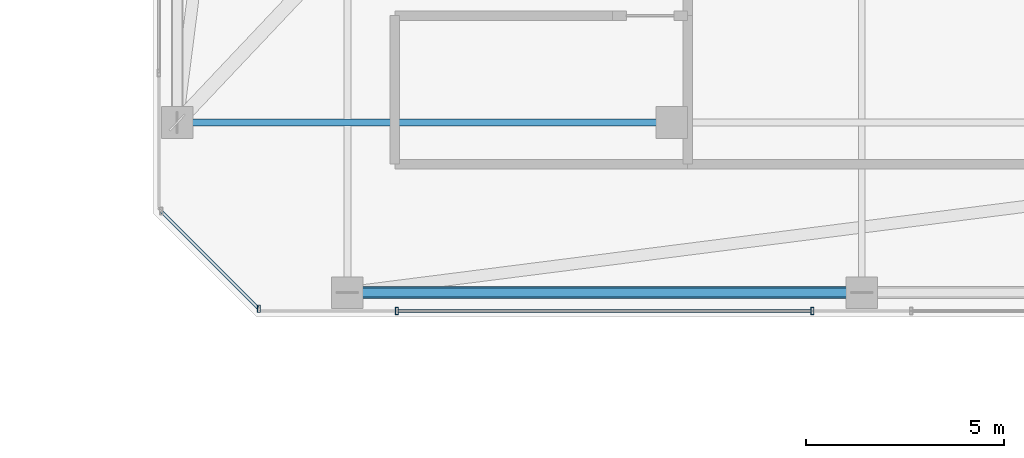
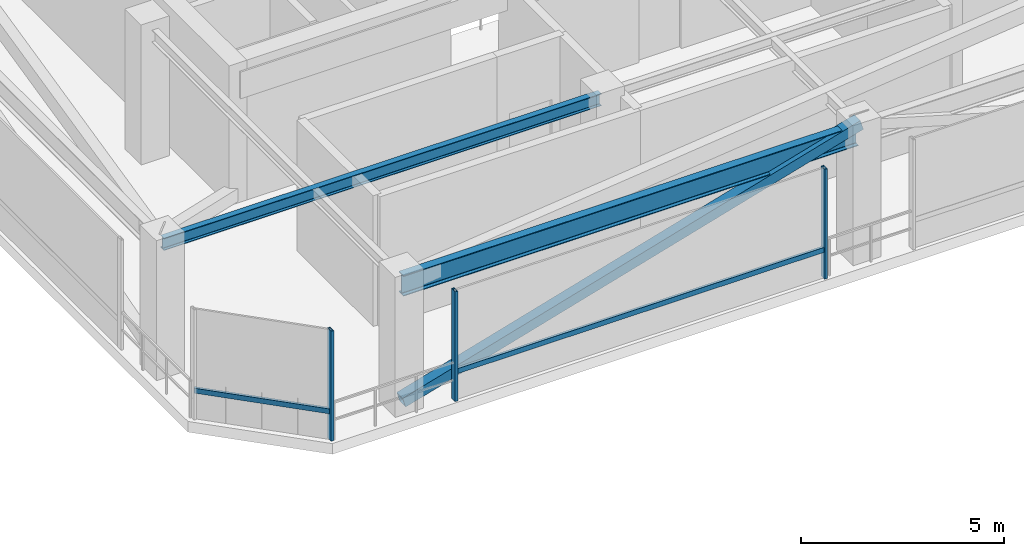
# One storey, part 25 of 47: 6 members, 2 beams, 2 elements without a shape of their own.
"""IFC4 building model written with IfcOpenShell, lengths in metres."""

from ifc_helpers import new_model, si_unit, direction, frame, origin, origin_2d, place, context, subcontext, project, spatial, hollow_rectangle, i_section, extrude, material, material_profile, profile_set, type_object, element, aggregate, save


model = new_model("IFC4")

# Units and contexts
model_context = context("Model", 3, precision=1e-05, world=origin(), true_north=direction((0.0, 1.0)))
body_context = subcontext(model_context, "Body", "Model", "MODEL_VIEW")
ifc_project = project(units=[si_unit("LENGTHUNIT", "METRE"), si_unit("AREAUNIT", "SQUARE_METRE"), si_unit("VOLUMEUNIT", "CUBIC_METRE"), si_unit("PLANEANGLEUNIT", "RADIAN"), si_unit("MASSUNIT", "GRAM", prefix="KILO")], contexts=[model_context])

# Site, building, storey
site_placement = place(None, origin())
site = spatial("IfcSite", under=ifc_project, at=site_placement, CompositionType="ELEMENT")
building_placement = place(site_placement, origin())
building = spatial("IfcBuilding", under=site, at=building_placement, Name="Thornwick Lancets Civic Towers", CompositionType="ELEMENT")
storey_placement = place(building_placement, frame((0.0, 0.0, 279.89990234375)))
storey = spatial("IfcBuildingStorey", under=building, at=storey_placement, Name="C01", CompositionType="ELEMENT", Elevation=279.89990234375)

# Beams
ifc_material_1 = material(Name="Steel S355JR", Category="steel")
ifc_material_profile_1 = material_profile(ifc_material_1, i_section(OverallWidth=0.230224609375, OverallDepth=0.6171875, WebThickness=0.01318359375, FlangeThickness=0.022216796875, FilletRadius=0.0126953125, at=origin_2d()), Name="UKB 610x229x140")
ifc_profile_set_1 = profile_set([ifc_material_profile_1], Name="Steel S355JR")
beam_type_1 = type_object("IfcBeamType", Name="BM_GIRD_610_140", PredefinedType="BEAM", material=ifc_profile_set_1)
beam_1_placement = place(storey_placement, frame((88.419921875, 9.699951171875, 3.631591796875), z_axis=(-1.0, 0.0, 0.0), x_axis=(0.0, -1.0, 0.0)))
element("IfcBeam", 1, at=beam_1_placement, inside=storey, type_object=beam_type_1, Name="BM-SPINE-C01-B-10-11", PredefinedType="BEAM", context=body_context, shape_type="SweptSolid", body=[
    extrude(i_section(OverallWidth=0.230224609375, OverallDepth=0.6171875, WebThickness=0.01318359375, FlangeThickness=0.022216796875, FilletRadius=0.0126953125, at=origin_2d()), origin(), (0.0, 0.0, 1.0), 12.919921875),
])
ifc_material_profile_2 = material_profile(ifc_material_1, i_section(OverallWidth=0.173095703125, OverallDepth=0.36328125, WebThickness=0.009033203125, FlangeThickness=0.015625, FilletRadius=0.01025390625, at=origin_2d()), Name="UKB 356x171x67")
ifc_profile_set_2 = profile_set([ifc_material_profile_2], Name="Steel S355JR")
beam_type_2 = type_object("IfcBeamType", Name="BM_JOIST_356_67", PredefinedType="JOIST", material=ifc_profile_set_2)
beam_2_placement = place(storey_placement, frame((83.6201171875, 14.0, 3.75830078125), z_axis=(-1.0, 0.0, 0.0), x_axis=(0.0, -1.0, 0.0)))
element("IfcBeam", 2, at=beam_2_placement, inside=storey, type_object=beam_type_2, Name="BM-RADIN-C01-B07", PredefinedType="JOIST", context=body_context, shape_type="SweptSolid", body=[
    extrude(i_section(OverallWidth=0.173095703125, OverallDepth=0.36328125, WebThickness=0.009033203125, FlangeThickness=0.015625, FilletRadius=0.01025390625, at=origin_2d()), origin(), (0.0, 0.0, 1.0), 12.420166015625),
])

# Curtain wall, members
ifc_material_2 = material(Name="Crown ring acoustic-louvre and glazing screen wall", Category="glass")
curtain_wall_type = type_object("IfcCurtainWallType", Name="CW_SYS_07", PredefinedType="NOTDEFINED", material=ifc_material_2)
curtain_wall_1_placement = place(storey_placement, origin())
curtain_wall_1 = element("IfcCurtainWall", 3, at=curtain_wall_1_placement, inside=storey, type_object=curtain_wall_type, Name="C01 Curtain Wall CW-C01-B-E0-S1", PredefinedType="NOTDEFINED")
ifc_material_3 = material(Name="Thermally broken bronze aluminium S355", Category="steel")
ifc_material_profile_3 = material_profile(ifc_material_3, hollow_rectangle(XDim=0.074951171875, YDim=0.179931640625, WallThickness=0.006103515625, at=origin_2d()), Name="RHS 180x75x6")
ifc_profile_set_3 = profile_set([ifc_material_profile_3], Name="Thermally broken bronze aluminium S355")
member_type_1 = type_object("IfcMemberType", Name="CW_MUL_180", PredefinedType="MULLION", material=ifc_profile_set_3)
member_1_placement = place(storey_placement, frame((76.75, 9.2353515625, 0.0), z_axis=(0.0, 0.0, 1.0), x_axis=(1.0, 0.0, 0.0)))
member_1 = element("IfcMember", 4, at=member_1_placement, type_object=member_type_1, Name="CW-C01-B-E0-S1 Mullion 0", PredefinedType="MULLION", context=body_context, shape_type="SweptSolid", body=[
    extrude(hollow_rectangle(XDim=0.074951171875, YDim=0.179931640625, WallThickness=0.006103515625, at=origin_2d()), origin(), (0.0, 0.0, 1.0), 3.300048828125),
])
member_2_placement = place(storey_placement, frame((87.25, 9.2353515625, 0.0), z_axis=(0.0, 0.0, 1.0), x_axis=(1.0, 0.0, 0.0)))
member_2 = element("IfcMember", 5, at=member_2_placement, type_object=member_type_1, Name="CW-C01-B-E0-S1 Mullion 1", PredefinedType="MULLION", context=body_context, shape_type="SweptSolid", body=[
    extrude(hollow_rectangle(XDim=0.074951171875, YDim=0.179931640625, WallThickness=0.006103515625, at=origin_2d()), origin(), (0.0, 0.0, 1.0), 3.300048828125),
])

# Curtain wall, member
curtain_wall_2_placement = place(storey_placement, origin())
curtain_wall_2 = element("IfcCurtainWall", 6, at=curtain_wall_2_placement, inside=storey, type_object=curtain_wall_type, Name="C01 Curtain Wall CW-C01-B-E7", PredefinedType="NOTDEFINED")
member_3_placement = place(storey_placement, frame((73.261962890625, 9.2919921875, 0.0), z_axis=(0.0, 0.0, 1.0), x_axis=(1.0, 0.0, 0.0)))
member_3 = element("IfcMember", 7, at=member_3_placement, type_object=member_type_1, Name="CW-C01-B-E7 Mullion 1", PredefinedType="MULLION", context=body_context, shape_type="SweptSolid", body=[
    extrude(hollow_rectangle(XDim=0.074951171875, YDim=0.179931640625, WallThickness=0.006103515625, at=origin_2d()), origin(), (0.0, 0.0, 1.0), 3.300048828125),
])

# Member
ifc_material_profile_4 = material_profile(ifc_material_3, hollow_rectangle(XDim=0.074951171875, YDim=0.14990234375, WallThickness=0.0048828125, at=origin_2d()), Name="RHS 150x75x5")
ifc_profile_set_4 = profile_set([ifc_material_profile_4], Name="Thermally broken bronze aluminium S355")
member_type_2 = type_object("IfcMemberType", Name="CW_TRN_150", PredefinedType="USERDEFINED", material=ifc_profile_set_4)
member_4_placement = place(storey_placement, frame((76.77001953125, 9.2353515625, 0.85009765625), z_axis=(1.0, 0.0, 0.0), x_axis=(0.0, 1.0, 0.0)))
member_4 = element("IfcMember", 8, at=member_4_placement, type_object=member_type_2, Name="CW-C01-B-E0-S1 Transom 0", ObjectType="TRANSOM", PredefinedType="USERDEFINED", context=body_context, shape_type="SweptSolid", body=[
    extrude(hollow_rectangle(XDim=0.074951171875, YDim=0.14990234375, WallThickness=0.0048828125, at=origin_2d()), origin(), (0.0, 0.0, 1.0), 10.4599609375),
])

aggregate(curtain_wall_1, [member_1, member_2, member_4])

member_5_placement = place(storey_placement, frame((70.80615234375, 11.747802734375, 0.85009765625), z_axis=(0.707106781187, -0.707106781187, 0.0), x_axis=(0.707106781187, 0.707106781187, 0.0)))
member_5 = element("IfcMember", 9, at=member_5_placement, type_object=member_type_2, Name="CW-C01-B-E7 Transom 0", ObjectType="TRANSOM", PredefinedType="USERDEFINED", context=body_context, shape_type="SweptSolid", body=[
    extrude(hollow_rectangle(XDim=0.074951171875, YDim=0.14990234375, WallThickness=0.0048828125, at=origin_2d()), origin(), (0.0, 0.0, 1.0), 3.453125),
])

aggregate(curtain_wall_2, [member_3, member_5])

ifc_material_4 = material(Name="Steel S460M", Category="steel")
ifc_material_profile_5 = material_profile(ifc_material_4, hollow_rectangle(XDim=0.300048828125, YDim=0.300048828125, WallThickness=0.01611328125, at=origin_2d()), Name="SHS 300x300x16")
ifc_profile_set_5 = profile_set([ifc_material_profile_5], Name="Steel S460M")
member_type_3 = type_object("IfcMemberType", Name="MEM_BELT_SHS300", PredefinedType="BRACE", material=ifc_profile_set_5)
member_6_placement = place(storey_placement, frame((75.5, 9.699951171875, 0.150146484375), z_axis=(0.960032302388, 0.0, 0.279889225178), x_axis=(0.0, 1.0, 0.0)))
element("IfcMember", 10, at=member_6_placement, inside=storey, type_object=member_type_3, Name="C01 Belt Truss Diagonal B-S3-2", PredefinedType="BRACE", context=body_context, shape_type="SweptSolid", body=[
    extrude(hollow_rectangle(XDim=0.300048828125, YDim=0.300048828125, WallThickness=0.01611328125, at=origin_2d()), origin(), (0.0, 0.0, 1.0), 13.541259765625),
])

save(model, "model.ifc")
